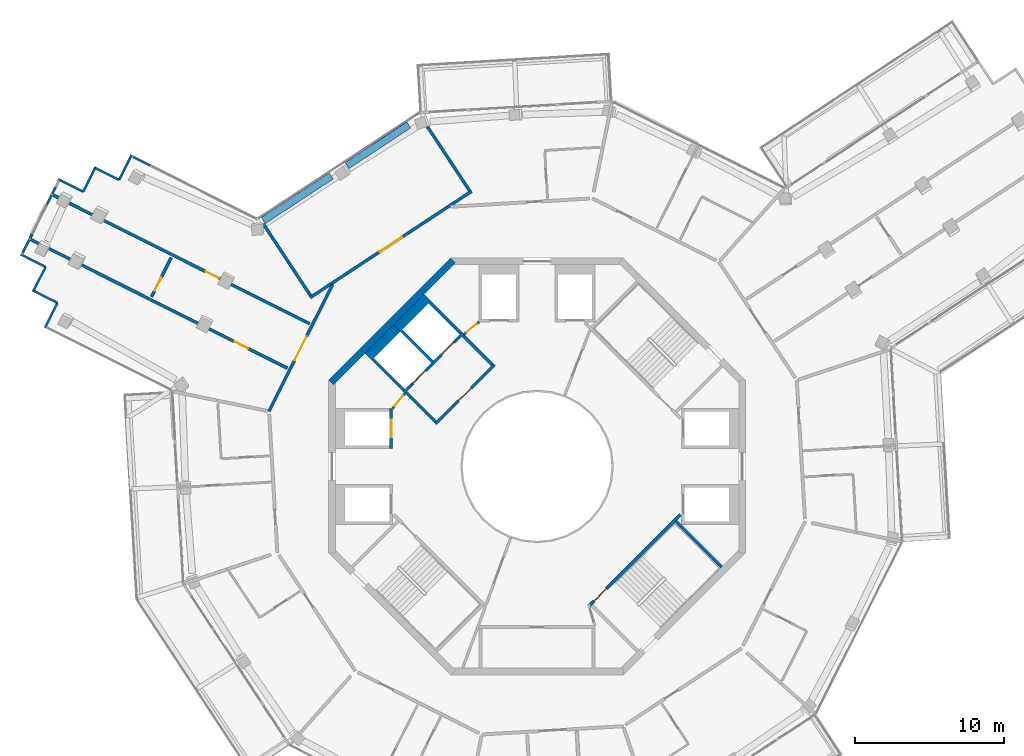
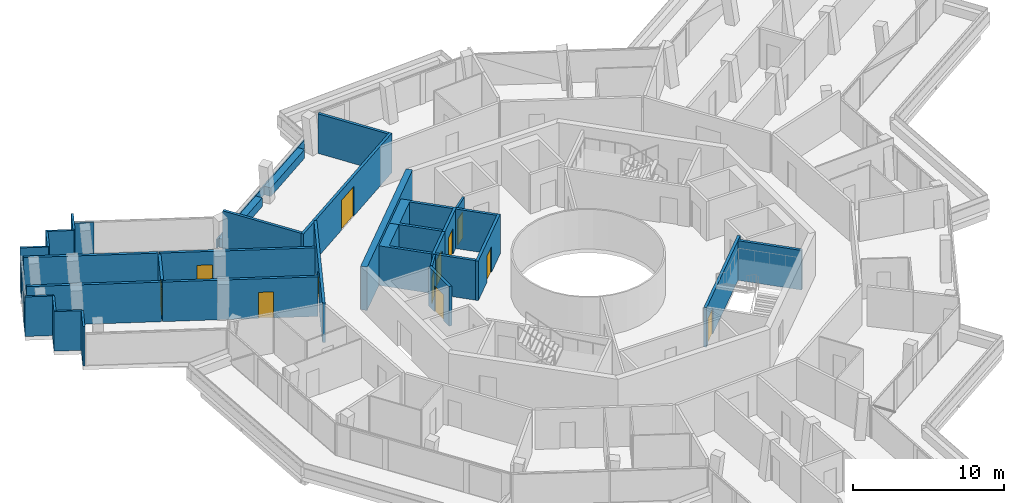
# One storey, part 20 of 26: 38 walls, 12 doors, 12 openings.
"""IFC4 building model written with IfcOpenShell, lengths in metres."""

from ifc_helpers import new_model, si_unit, direction, frame, frame_2d, origin, place, context, subcontext, project, spatial, polyline, rectangle, outline, extrude, material, layer, layer_set, type_object, element, fill, save


model = new_model("IFC4")

# Units and contexts
model_context = context("Model", 3, precision=1e-05, world=origin(), true_north=direction((0.0, 1.0)))
body_context = subcontext(model_context, "Body", "Model", "MODEL_VIEW")
ifc_project = project(units=[si_unit("LENGTHUNIT", "METRE"), si_unit("AREAUNIT", "SQUARE_METRE"), si_unit("VOLUMEUNIT", "CUBIC_METRE"), si_unit("PLANEANGLEUNIT", "RADIAN"), si_unit("MASSUNIT", "GRAM", prefix="KILO")], contexts=[model_context])

# Site, building, storey
site_placement = place(None, origin())
site = spatial("IfcSite", under=ifc_project, at=site_placement, CompositionType="ELEMENT")
building_placement = place(site_placement, origin())
building = spatial("IfcBuilding", under=site, at=building_placement, Name="Verdalira Terraces Hotel", CompositionType="ELEMENT")
storey_placement = place(building_placement, frame((0.0, 0.0, 291.5)))
storey = spatial("IfcBuildingStorey", under=building, at=storey_placement, Name="L72", CompositionType="ELEMENT", Elevation=291.5)

# Wall, opening, door
ifc_material_1 = material(Name="Concrete C50", Category="concrete")
ifc_layer_1 = layer(ifc_material_1, 0.199951171875)
ifc_layer_set_1 = layer_set([ifc_layer_1], Name="Core RC wall 200 C50")
wall_type_1 = type_object("IfcWallType", Name="Core RC wall 200 C50", PredefinedType="SOLIDWALL", material=ifc_layer_set_1)
wall_1_placement = place(storey_placement, frame((-9.800049, 1.199951, 0.0), z_axis=(0.0, 0.0, 1.0), x_axis=(0.0, 1.0, 0.0)))
wall_1 = element("IfcWall", 1, at=wall_1_placement, inside=storey, type_object=wall_type_1, Name="L72 shaft front wall W1", PredefinedType="SOLIDWALL", context=body_context, shape_type="SweptSolid", body=[
    extrude(rectangle(XDim=2.699951, YDim=0.199951, at=frame_2d((1.350098, 0.0))), origin(), (0.0, 0.0, 1.0), 3.189941),
])
opening_1_placement = place(wall_1_placement, frame((0.75, 0.0, 0.0)))
opening_1 = element("IfcOpeningElement", 2, at=opening_1_placement, cuts=wall_1, Name="Opening LD-L72-806", PredefinedType="OPENING", context=body_context, shape_type="SweptSolid", body=[
    extrude(rectangle(XDim=1.199951, YDim=2.100098, at=frame_2d((0.600098, 1.050049))), frame((0.0, 0.109863, 0.0), z_axis=(0.0, -1.0, 0.0), x_axis=(1.0, 0.0, 0.0)), (0.0, 0.0, 1.0), 0.219971),
])
ifc_material_2 = material(Name="Stainless steel", Category="steel")
door_type_1 = type_object("IfcDoorType", Name="Landing door 1200 x 2100", OperationType="NOTDEFINED", PredefinedType="DOOR", material=ifc_material_2)
door_1_placement = place(opening_1_placement, origin())
door_1 = element("IfcDoor", 3, at=door_1_placement, inside=storey, type_object=door_type_1, Name="Lift landing door HR5 L72", OperationType="DOUBLE_DOOR_SLIDING", OverallHeight=2.10009765625, OverallWidth=1.199951171875, PredefinedType="DOOR", context=body_context, shape_type="SweptSolid", body=[
    extrude(rectangle(XDim=1.199951, YDim=2.100098, at=frame_2d((0.600098, 1.050049))), frame((0.0, 0.024902, 0.0), z_axis=(0.0, -1.0, 0.0), x_axis=(1.0, 0.0, 0.0)), (0.0, 0.0, 1.0), 0.050049),
])
fill(opening_1, door_1)

# Wall
wall_2_placement = place(storey_placement, origin())
element("IfcWall", 4, at=wall_2_placement, inside=storey, type_object=wall_type_1, Name="L72 shaft wall F1", PredefinedType="SOLIDWALL", context=body_context, shape_type="SweptSolid", body=[
    extrude(outline(polyline([(-9.6521, 9.510498), (-7.601318, 11.561279), (-5.055908, 9.015625), (-5.197266, 8.874268), (-7.283203, 10.960205), (-9.051025, 9.192383), (-6.965088, 7.106445), (-7.106445, 6.965088), (-9.6521, 9.510498)])), origin(), (0.0, 0.0, 1.0), 3.189941),
])

# Wall, opening, door
wall_3_placement = place(storey_placement, frame((-4.985107, 8.944824, 0.0), z_axis=(0.0, 0.0, 1.0), x_axis=(-0.707106781, -0.707106781, 0.0)))
wall_3 = element("IfcWall", 5, at=wall_3_placement, inside=storey, type_object=wall_type_1, Name="L72 shaft front wall F1", PredefinedType="SOLIDWALL", context=body_context, shape_type="SweptSolid", body=[
    extrude(rectangle(XDim=2.899902, YDim=0.199951, at=frame_2d((1.449951, 0.0))), origin(), (0.0, 0.0, 1.0), 3.189941),
])
opening_2_placement = place(wall_3_placement, frame((0.850098, 0.0, 0.0)))
opening_2 = element("IfcOpeningElement", 6, at=opening_2_placement, cuts=wall_3, Name="Opening LD-L72-808", PredefinedType="OPENING", context=body_context, shape_type="SweptSolid", body=[
    extrude(rectangle(XDim=1.199951, YDim=2.100098, at=frame_2d((0.600098, 1.050049))), frame((0.0, 0.109863, 0.0), z_axis=(0.0, -1.0, 0.0), x_axis=(1.0, 0.0, 0.0)), (0.0, 0.0, 1.0), 0.219971),
])
door_2_placement = place(opening_2_placement, origin())
door_2 = element("IfcDoor", 7, at=door_2_placement, inside=storey, type_object=door_type_1, Name="Lift landing door LF11 L72", OperationType="DOUBLE_DOOR_SLIDING", OverallHeight=2.10009765625, OverallWidth=1.199951171875, PredefinedType="DOOR", context=body_context, shape_type="SweptSolid", body=[
    extrude(rectangle(XDim=1.199951, YDim=2.100098, at=frame_2d((0.600098, 1.050049))), frame((0.0, 0.024902, 0.0), z_axis=(0.0, -1.0, 0.0), x_axis=(1.0, 0.0, 0.0)), (0.0, 0.0, 1.0), 0.050049),
])
fill(opening_2, door_2)

# Wall
wall_4_placement = place(storey_placement, origin())
element("IfcWall", 8, at=wall_4_placement, inside=storey, type_object=wall_type_1, Name="L72 shaft wall F2", PredefinedType="SOLIDWALL", context=body_context, shape_type="SweptSolid", body=[
    extrude(outline(polyline([(-11.561279, 7.601318), (-9.6521, 9.510498), (-9.192383, 9.051025), (-10.960205, 7.283203), (-8.874268, 5.197266), (-9.015625, 5.055908), (-11.561279, 7.601318)])), origin(), (0.0, 0.0, 1.0), 3.189941),
])

# Wall, opening, door
wall_5_placement = place(storey_placement, frame((-7.035645, 6.894287, 0.0), z_axis=(0.0, 0.0, 1.0), x_axis=(-0.707106781, -0.707106781, 0.0)))
wall_5 = element("IfcWall", 9, at=wall_5_placement, inside=storey, type_object=wall_type_1, Name="L72 shaft front wall F2", PredefinedType="SOLIDWALL", context=body_context, shape_type="SweptSolid", body=[
    extrude(rectangle(XDim=2.699951, YDim=0.199951, at=frame_2d((1.350098, 0.0))), origin(), (0.0, 0.0, 1.0), 3.189941),
])
opening_3_placement = place(wall_5_placement, frame((0.649902, 0.0, 0.0)))
opening_3 = element("IfcOpeningElement", 10, at=opening_3_placement, cuts=wall_5, Name="Opening LD-L72-809", PredefinedType="OPENING", context=body_context, shape_type="SweptSolid", body=[
    extrude(rectangle(XDim=1.199951, YDim=2.100098, at=frame_2d((0.600098, 1.050049))), frame((0.0, 0.109863, 0.0), z_axis=(0.0, -1.0, 0.0), x_axis=(1.0, 0.0, 0.0)), (0.0, 0.0, 1.0), 0.219971),
])
door_3_placement = place(opening_3_placement, origin())
door_3 = element("IfcDoor", 11, at=door_3_placement, inside=storey, type_object=door_type_1, Name="Lift landing door LF12 L72", OperationType="DOUBLE_DOOR_SLIDING", OverallHeight=2.10009765625, OverallWidth=1.199951171875, PredefinedType="DOOR", context=body_context, shape_type="SweptSolid", body=[
    extrude(rectangle(XDim=1.199951, YDim=2.100098, at=frame_2d((0.600098, 1.050049))), frame((0.0, 0.024902, 0.0), z_axis=(0.0, -1.0, 0.0), x_axis=(1.0, 0.0, 0.0)), (0.0, 0.0, 1.0), 0.050049),
])
fill(opening_3, door_3)

wall_6_placement = place(storey_placement, frame((9.629395, -3.23999, 0.0), z_axis=(0.0, 0.0, 1.0), x_axis=(-0.707120946, -0.707092617, 0.0)))
wall_6 = element("IfcWall", 12, at=wall_6_placement, inside=storey, type_object=wall_type_1, Name="L72 stair ST3 front wall", PredefinedType="SOLIDWALL", context=body_context, shape_type="SweptSolid", body=[
    extrude(rectangle(XDim=8.61792, YDim=0.199951, at=frame_2d((4.309082, 0.0))), origin(), (0.0, 0.0, 1.0), 3.189941),
])
opening_4_placement = place(wall_6_placement, frame((7.017822, 0.0, 0.0)))
opening_4 = element("IfcOpeningElement", 13, at=opening_4_placement, cuts=wall_6, Name="Opening L72-812", PredefinedType="OPENING", context=body_context, shape_type="SweptSolid", body=[
    extrude(rectangle(XDim=1.199951, YDim=2.100098, at=frame_2d((0.600098, 1.050049))), frame((0.0, 0.109863, 0.0), z_axis=(0.0, -1.0, 0.0), x_axis=(1.0, 0.0, 0.0)), (0.0, 0.0, 1.0), 0.219971),
])
ifc_material_3 = material(Name="Steel fire door", Category="steel")
door_type_2 = type_object("IfcDoorType", Name="Stair door 1200 x 2100", OperationType="NOTDEFINED", PredefinedType="DOOR", material=ifc_material_3)
door_4_placement = place(opening_4_placement, origin())
door_4 = element("IfcDoor", 14, at=door_4_placement, inside=storey, type_object=door_type_2, Name="Stair door ST3 L72", OperationType="SINGLE_SWING_RIGHT", OverallHeight=2.10009765625, OverallWidth=1.199951171875, PredefinedType="DOOR", context=body_context, shape_type="SweptSolid", body=[
    extrude(rectangle(XDim=1.199951, YDim=2.100098, at=frame_2d((0.600098, 1.050049))), frame((0.0, 0.024902, 0.0), z_axis=(0.0, -1.0, 0.0), x_axis=(1.0, 0.0, 0.0)), (0.0, 0.0, 1.0), 0.050049),
])
fill(opening_4, door_4)

# Wall
wall_7_placement = place(storey_placement, frame((9.33374, -3.677002, 0.0), z_axis=(0.0, 0.0, 1.0), x_axis=(0.707106781, -0.707106781, 0.0)))
element("IfcWall", 15, at=wall_7_placement, inside=storey, type_object=wall_type_1, Name="L72 stair ST3 end wall 2", PredefinedType="SOLIDWALL", context=body_context, shape_type="SweptSolid", body=[
    extrude(rectangle(XDim=4.350098, YDim=0.199951, at=frame_2d((2.175049, 0.0))), origin(), (0.0, 0.0, 1.0), 3.189941),
])

# Wall, opening, door
wall_8_placement = place(storey_placement, frame((-2.86377, 6.823486, 0.0), z_axis=(0.0, 0.0, 1.0), x_axis=(-0.707106781, -0.707106781, 0.0)))
wall_8 = element("IfcWall", 16, at=wall_8_placement, inside=storey, type_object=wall_type_1, Name="L72 fire lobby wall", PredefinedType="SOLIDWALL", context=body_context, shape_type="SweptSolid", body=[
    extrude(rectangle(XDim=5.599854, YDim=0.199951, at=frame_2d((2.799805, 0.0))), origin(), (0.0, 0.0, 1.0), 3.189941),
])
opening_5_placement = place(wall_8_placement, frame((2.199951, 0.0, 0.0)))
opening_5 = element("IfcOpeningElement", 17, at=opening_5_placement, cuts=wall_8, Name="Opening L72-819", PredefinedType="OPENING", context=body_context, shape_type="SweptSolid", body=[
    extrude(rectangle(XDim=1.199951, YDim=2.100098, at=frame_2d((0.600098, 1.050049))), frame((0.0, 0.109863, 0.0), z_axis=(0.0, -1.0, 0.0), x_axis=(1.0, 0.0, 0.0)), (0.0, 0.0, 1.0), 0.219971),
])
ifc_material_4 = material(Name="Steel fire door", Category="steel")
door_type_3 = type_object("IfcDoorType", Name="Lobby door 1200 x 2100", OperationType="NOTDEFINED", PredefinedType="DOOR", material=ifc_material_4)
door_5_placement = place(opening_5_placement, origin())
door_5 = element("IfcDoor", 18, at=door_5_placement, inside=storey, type_object=door_type_3, Name="Fire lobby door L72", OperationType="SINGLE_SWING_LEFT", OverallHeight=2.10009765625, OverallWidth=1.199951171875, PredefinedType="DOOR", context=body_context, shape_type="SweptSolid", body=[
    extrude(rectangle(XDim=1.199951, YDim=2.100098, at=frame_2d((0.600098, 1.050049))), frame((0.0, 0.024902, 0.0), z_axis=(0.0, -1.0, 0.0), x_axis=(1.0, 0.0, 0.0)), (0.0, 0.0, 1.0), 0.050049),
])
fill(opening_5, door_5)

# Walls
for number, where, z_axis, x_axis, name in (
    (19, (-3.005127, 6.823486, 0.0), (0.0, 0.0, 1.0), (-0.707106781, 0.707106781, 0.0), "L72 fire lobby wall"),
    (20, (-6.823486, 3.005127, 0.0), (0.0, 0.0, 1.0), (-0.707106781, 0.707106781, 0.0), "L72 fire lobby wall"),
):
    element("IfcWall", number, at=place(storey_placement, frame(where, z_axis=z_axis, x_axis=x_axis)), inside=storey, type_object=wall_type_1, Name=name, PredefinedType="SOLIDWALL", context=body_context, shape_type="SweptSolid", body=[
        extrude(rectangle(XDim=2.800049, YDim=0.199951, at=frame_2d((1.399902, 0.0))), origin(), (0.0, 0.0, 1.0), 3.189941),
    ])

# Wall, opening, door
ifc_material_5 = material(Name="Gypsum board partition")
ifc_layer_2 = layer(ifc_material_5, 0.14990234375)
ifc_layer_set_2 = layer_set([ifc_layer_2], Name="Core partition 150 mm")
wall_type_2 = type_object("IfcWallType", Name="Core partition 150 mm", PredefinedType="PARTITIONING", material=ifc_layer_set_2)
wall_9_placement = place(storey_placement, frame((-3.899902, 9.699951, 0.0), z_axis=(0.0, 0.0, 1.0), x_axis=(-0.775559878, -0.631274009, 0.0)))
wall_9 = element("IfcWall", 21, at=wall_9_placement, inside=storey, type_object=wall_type_2, Name="Room partition L72", PredefinedType="PARTITIONING", context=body_context, shape_type="SweptSolid", body=[
    extrude(rectangle(XDim=1.307861, YDim=0.149902, at=frame_2d((0.653809, 0.0))), origin(), (0.0, 0.0, 1.0), 3.189941),
])
opening_6_placement = place(wall_9_placement, frame((0.204102, 0.0, 0.0)))
opening_6 = element("IfcOpeningElement", 22, at=opening_6_placement, cuts=wall_9, Name="Opening L72-820", PredefinedType="OPENING", context=body_context, shape_type="SweptSolid", body=[
    extrude(rectangle(XDim=0.899902, YDim=2.100098, at=frame_2d((0.449951, 1.050049))), frame((0.0, 0.084961, 0.0), z_axis=(0.0, -1.0, 0.0), x_axis=(1.0, 0.0, 0.0)), (0.0, 0.0, 1.0), 0.169922),
])
ifc_material_6 = material(Name="Steel fire door", Category="steel")
door_type_4 = type_object("IfcDoorType", Name="Core room door 900 x 2100", OperationType="NOTDEFINED", PredefinedType="DOOR", material=ifc_material_6)
door_6_placement = place(opening_6_placement, origin())
door_6 = element("IfcDoor", 23, at=door_6_placement, inside=storey, type_object=door_type_4, Name="Door L72 room2", OperationType="SINGLE_SWING_LEFT", OverallHeight=2.10009765625, OverallWidth=0.89990234375, PredefinedType="DOOR", context=body_context, shape_type="SweptSolid", body=[
    extrude(rectangle(XDim=0.899902, YDim=2.100098, at=frame_2d((0.449951, 1.050049))), frame((0.0, 0.024902, 0.0), z_axis=(0.0, -1.0, 0.0), x_axis=(1.0, 0.0, 0.0)), (0.0, 0.0, 1.0), 0.050049),
])
fill(opening_6, door_6)

wall_10_placement = place(storey_placement, frame((-8.874268, 4.914307, 0.0), z_axis=(0.0, 0.0, 1.0), x_axis=(-0.631274009, -0.775559878, 0.0)))
wall_10 = element("IfcWall", 24, at=wall_10_placement, inside=storey, type_object=wall_type_2, Name="Room partition L72", PredefinedType="PARTITIONING", context=body_context, shape_type="SweptSolid", body=[
    extrude(rectangle(XDim=1.307861, YDim=0.149902, at=frame_2d((0.653809, 0.0))), origin(), (0.0, 0.0, 1.0), 3.189941),
])
opening_7_placement = place(wall_10_placement, frame((0.204102, 0.0, 0.0)))
opening_7 = element("IfcOpeningElement", 25, at=opening_7_placement, cuts=wall_10, Name="Opening L72-821", PredefinedType="OPENING", context=body_context, shape_type="SweptSolid", body=[
    extrude(rectangle(XDim=0.899902, YDim=2.100098, at=frame_2d((0.449951, 1.050049))), frame((0.0, 0.084961, 0.0), z_axis=(0.0, -1.0, 0.0), x_axis=(1.0, 0.0, 0.0)), (0.0, 0.0, 1.0), 0.169922),
])
door_7_placement = place(opening_7_placement, origin())
door_7 = element("IfcDoor", 26, at=door_7_placement, inside=storey, type_object=door_type_4, Name="Door L72 room3", OperationType="SINGLE_SWING_LEFT", OverallHeight=2.10009765625, OverallWidth=0.89990234375, PredefinedType="DOOR", context=body_context, shape_type="SweptSolid", body=[
    extrude(rectangle(XDim=0.899902, YDim=2.100098, at=frame_2d((0.449951, 1.050049))), frame((0.0, 0.024902, 0.0), z_axis=(0.0, -1.0, 0.0), x_axis=(1.0, 0.0, 0.0)), (0.0, 0.0, 1.0), 0.050049),
])
fill(opening_7, door_7)

# Walls
ifc_material_7 = material(Name="Concrete C50", Category="concrete")
ifc_layer_3 = layer(ifc_material_7, 0.449951171875)
ifc_layer_set_3 = layer_set([ifc_layer_3], Name="Core wall 450 C50")
wall_type_3 = type_object("IfcWallType", Name="Core wall 450 C50", PredefinedType="SHEAR", material=ifc_layer_set_3)
wall_11_placement = place(storey_placement, frame((-5.639893, 13.84082, 0.0), z_axis=(0.0, 0.0, 1.0), x_axis=(-0.707106781, -0.707106781, 0.0)))
element("IfcWall", 27, at=wall_11_placement, inside=storey, type_object=wall_type_3, Name="Core wall CW-L72-4", PredefinedType="SHEAR", context=body_context, shape_type="SweptSolid", body=[
    extrude(rectangle(XDim=11.5979, YDim=0.449951, at=frame_2d((5.798828, 0.0))), origin(), (0.0, 0.0, 1.0), 3.5),
])
ifc_material_8 = material(Name="Fire-rated gypsum board wall")
ifc_layer_4 = layer(ifc_material_8, 0.199951171875)
ifc_layer_set_4 = layer_set([ifc_layer_4], Name="Demising wall 200 mm")
wall_type_4 = type_object("IfcWallType", Name="Demising wall 200 mm", PredefinedType="SOLIDWALL", material=ifc_layer_set_4)
wall_12_placement = place(storey_placement, frame((-34.02832, 15.254639, 0.0), z_axis=(0.0, 0.0, 1.0), x_axis=(0.893848113, -0.448369883, 0.0)))
element("IfcWall", 28, at=wall_12_placement, inside=storey, type_object=wall_type_4, Name="Demising wall", PredefinedType="SOLIDWALL", context=body_context, shape_type="SweptSolid", body=[
    extrude(rectangle(XDim=8.949463, YDim=0.199951, at=frame_2d((4.474609, 0.0))), origin(), (0.0, 0.0, 1.0), 3.189941),
])
wall_13_placement = place(storey_placement, frame((-24.530762, 14.228516, 0.0), z_axis=(0.0, 0.0, 1.0), x_axis=(-0.893842628, 0.448380816, 0.0)))
element("IfcWall", 29, at=wall_13_placement, inside=storey, type_object=wall_type_4, Name="Demising wall", PredefinedType="SOLIDWALL", context=body_context, shape_type="SweptSolid", body=[
    extrude(rectangle(XDim=8.949219, YDim=0.199951, at=frame_2d((4.474609, 0.0))), origin(), (0.0, 0.0, 1.0), 3.189941),
])

# Wall, opening, door
wall_14_placement = place(storey_placement, frame((-25.89624, 11.39917, 0.0), z_axis=(0.0, 0.0, 1.0), x_axis=(0.448408509, 0.893828736, 0.0)))
wall_14 = element("IfcWall", 30, at=wall_14_placement, inside=storey, type_object=wall_type_4, Name="Demising wall", PredefinedType="SOLIDWALL", context=body_context, shape_type="SweptSolid", body=[
    extrude(rectangle(XDim=2.941162, YDim=0.199951, at=frame_2d((1.470703, 0.0))), origin(), (0.0, 0.0, 1.0), 3.189941),
])
opening_8_placement = place(wall_14_placement, frame((0.449951, 0.0, 0.0)))
opening_8 = element("IfcOpeningElement", 31, at=opening_8_placement, cuts=wall_14, Name="Opening L72-104", PredefinedType="OPENING", context=body_context, shape_type="SweptSolid", body=[
    extrude(rectangle(XDim=1.0, YDim=2.100098, at=frame_2d((0.5, 1.050049))), frame((0.0, 0.109863, 0.0), z_axis=(0.0, -1.0, 0.0), x_axis=(1.0, 0.0, 0.0)), (0.0, 0.0, 1.0), 0.219971),
])
ifc_material_9 = material(Name="Timber fire door", Category="wood")
door_type_5 = type_object("IfcDoorType", Name="Public room door 1000 x 2100", OperationType="NOTDEFINED", PredefinedType="DOOR", material=ifc_material_9)
door_8_placement = place(opening_8_placement, origin())
door_8 = element("IfcDoor", 32, at=door_8_placement, inside=storey, type_object=door_type_5, Name="Public room door 7201", OperationType="SINGLE_SWING_LEFT", OverallHeight=2.10009765625, OverallWidth=1.0, PredefinedType="DOOR", context=body_context, shape_type="SweptSolid", body=[
    extrude(rectangle(XDim=1.0, YDim=2.100098, at=frame_2d((0.5, 1.050049))), frame((0.0, 0.024902, 0.0), z_axis=(0.0, -1.0, 0.0), x_axis=(1.0, 0.0, 0.0)), (0.0, 0.0, 1.0), 0.050049),
])
fill(opening_8, door_8)

wall_15_placement = place(storey_placement, frame((-16.779297, 6.602051, 0.0), z_axis=(0.0, 0.0, 1.0), x_axis=(-0.893848208, 0.448369693, 0.0)))
wall_15 = element("IfcWall", 33, at=wall_15_placement, inside=storey, type_object=wall_type_4, Name="Demising wall", PredefinedType="SOLIDWALL", context=body_context, shape_type="SweptSolid", body=[
    extrude(rectangle(XDim=10.302002, YDim=0.199951, at=frame_2d((5.150879, 0.0))), origin(), (0.0, 0.0, 1.0), 3.189941),
])
opening_9_placement = place(wall_15_placement, frame((2.949951, 0.0, 0.0)))
opening_9 = element("IfcOpeningElement", 34, at=opening_9_placement, cuts=wall_15, Name="Opening L72-103", PredefinedType="OPENING", context=body_context, shape_type="SweptSolid", body=[
    extrude(rectangle(XDim=1.0, YDim=2.100098, at=frame_2d((0.5, 1.050049))), frame((0.0, 0.109863, 0.0), z_axis=(0.0, -1.0, 0.0), x_axis=(1.0, 0.0, 0.0)), (0.0, 0.0, 1.0), 0.219971),
])
door_9_placement = place(opening_9_placement, origin())
door_9 = element("IfcDoor", 35, at=door_9_placement, inside=storey, type_object=door_type_5, Name="Public room door 7201", OperationType="SINGLE_SWING_LEFT", OverallHeight=2.10009765625, OverallWidth=1.0, PredefinedType="DOOR", context=body_context, shape_type="SweptSolid", body=[
    extrude(rectangle(XDim=1.0, YDim=2.100098, at=frame_2d((0.5, 1.050049))), frame((0.0, 0.024902, 0.0), z_axis=(0.0, -1.0, 0.0), x_axis=(1.0, 0.0, 0.0)), (0.0, 0.0, 1.0), 0.050049),
])
fill(opening_9, door_9)

wall_16_placement = place(storey_placement, frame((-24.489502, 14.207764, 0.0), z_axis=(0.0, 0.0, 1.0), x_axis=(0.893833945, -0.448398125, 0.0)))
wall_16 = element("IfcWall", 36, at=wall_16_placement, inside=storey, type_object=wall_type_4, Name="Demising wall", PredefinedType="SOLIDWALL", context=body_context, shape_type="SweptSolid", body=[
    extrude(rectangle(XDim=10.302002, YDim=0.199951, at=frame_2d((5.150879, 0.0))), origin(), (0.0, 0.0, 1.0), 3.189941),
])
opening_10_placement = place(wall_16_placement, frame((2.5, 0.0, 0.0)))
opening_10 = element("IfcOpeningElement", 37, at=opening_10_placement, cuts=wall_16, Name="Opening L72-102", PredefinedType="OPENING", context=body_context, shape_type="SweptSolid", body=[
    extrude(rectangle(XDim=1.0, YDim=2.100098, at=frame_2d((0.5, 1.050049))), frame((0.0, 0.109863, 0.0), z_axis=(0.0, -1.0, 0.0), x_axis=(1.0, 0.0, 0.0)), (0.0, 0.0, 1.0), 0.219971),
])
door_10_placement = place(opening_10_placement, origin())
door_10 = element("IfcDoor", 38, at=door_10_placement, inside=storey, type_object=door_type_5, Name="Public room door 7201", OperationType="SINGLE_SWING_LEFT", OverallHeight=2.10009765625, OverallWidth=1.0, PredefinedType="DOOR", context=body_context, shape_type="SweptSolid", body=[
    extrude(rectangle(XDim=1.0, YDim=2.100098, at=frame_2d((0.5, 1.050049))), frame((0.0, 0.024902, 0.0), z_axis=(0.0, -1.0, 0.0), x_axis=(1.0, 0.0, 0.0)), (0.0, 0.0, 1.0), 0.050049),
])
fill(opening_10, door_10)

ifc_material_10 = material(Name="Fire-rated gypsum board wall")
ifc_layer_5 = layer(ifc_material_10, 0.199951171875)
ifc_layer_set_5 = layer_set([ifc_layer_5], Name="Guest corridor wall 200 mm")
wall_type_5 = type_object("IfcWallType", Name="Guest corridor wall 200 mm", PredefinedType="SOLIDWALL", material=ifc_layer_set_5)
wall_17_placement = place(storey_placement, frame((-18.006592, 3.709229, 0.0), z_axis=(0.0, 0.0, 1.0), x_axis=(0.448360112, 0.893853014, 0.0)))
wall_17 = element("IfcWall", 39, at=wall_17_placement, inside=storey, type_object=wall_type_5, Name="Guest corridor wall", PredefinedType="SOLIDWALL", context=body_context, shape_type="SweptSolid", body=[
    extrude(rectangle(XDim=9.536621, YDim=0.199951, at=frame_2d((4.768311, 0.0))), origin(), (0.0, 0.0, 1.0), 3.189941),
])
opening_11_placement = place(wall_17_placement, frame((3.835938, 0.0, 0.0)))
opening_11 = element("IfcOpeningElement", 40, at=opening_11_placement, cuts=wall_17, Name="Opening L72-101", PredefinedType="OPENING", context=body_context, shape_type="SweptSolid", body=[
    extrude(rectangle(XDim=1.800049, YDim=2.100098, at=frame_2d((0.899902, 1.050049))), frame((0.0, 0.109863, 0.0), z_axis=(0.0, -1.0, 0.0), x_axis=(1.0, 0.0, 0.0)), (0.0, 0.0, 1.0), 0.219971),
])
ifc_material_11 = material(Name="Timber fire door", Category="wood")
door_type_6 = type_object("IfcDoorType", Name="Public room double door 1800 x 2100", OperationType="NOTDEFINED", PredefinedType="DOOR", material=ifc_material_11)
door_11_placement = place(opening_11_placement, origin())
door_11 = element("IfcDoor", 41, at=door_11_placement, inside=storey, type_object=door_type_6, Name="Public room double door 7201", OperationType="DOUBLE_DOOR_SINGLE_SWING", OverallHeight=2.10009765625, OverallWidth=1.800048828125, PredefinedType="DOOR", context=body_context, shape_type="SweptSolid", body=[
    extrude(rectangle(XDim=1.800049, YDim=2.100098, at=frame_2d((0.899902, 1.050049))), frame((0.0, 0.024902, 0.0), z_axis=(0.0, -1.0, 0.0), x_axis=(1.0, 0.0, 0.0)), (0.0, 0.0, 1.0), 0.050049),
])
fill(opening_11, door_11)

ifc_material_12 = material(Name="Terracotta cladding", Category="masonry")
ifc_layer_6 = layer(ifc_material_12, 0.199951171875)
ifc_layer_set_6 = layer_set([ifc_layer_6], Name="Loggia back wall 200")
wall_type_6 = type_object("IfcWallType", Name="Loggia back wall 200", PredefinedType="SOLIDWALL", material=ifc_layer_set_6)
wall_18_placement = place(storey_placement, frame((-15.249268, 11.341553, 0.0), z_axis=(0.0, 0.0, 1.0), x_axis=(0.835229141, 0.549902066, 0.0)))
wall_18 = element("IfcWall", 42, at=wall_18_placement, inside=storey, type_object=wall_type_6, Name="Loggia back wall", PredefinedType="SOLIDWALL", context=body_context, shape_type="SweptSolid", body=[
    extrude(rectangle(XDim=13.0, YDim=0.199951, at=frame_2d((6.5, 0.0))), origin(), (0.0, 0.0, 1.0), 3.189941),
])
opening_12_placement = place(wall_18_placement, frame((5.600098, 0.0, 0.0)))
opening_12 = element("IfcOpeningElement", 43, at=opening_12_placement, cuts=wall_18, Name="Opening L72-L01", PredefinedType="OPENING", context=body_context, shape_type="SweptSolid", body=[
    extrude(rectangle(XDim=1.800049, YDim=2.399902, at=frame_2d((0.899902, 1.199951))), frame((0.0, 0.109863, 0.0), z_axis=(0.0, -1.0, 0.0), x_axis=(1.0, 0.0, 0.0)), (0.0, 0.0, 1.0), 0.219971),
])
ifc_material_13 = material(Name="Clear glass", Category="glass")
door_type_7 = type_object("IfcDoorType", Name="Garden double door 1800x2400", OperationType="NOTDEFINED", PredefinedType="DOOR", material=ifc_material_13)
door_12_placement = place(opening_12_placement, origin())
door_12 = element("IfcDoor", 44, at=door_12_placement, inside=storey, type_object=door_type_7, Name="Loggia double door", OperationType="DOUBLE_DOOR_SINGLE_SWING", OverallHeight=2.39990234375, OverallWidth=1.800048828125, PredefinedType="DOOR", context=body_context, shape_type="SweptSolid", body=[
    extrude(rectangle(XDim=1.800049, YDim=2.399902, at=frame_2d((0.899902, 1.199951))), frame((0.0, 0.024902, 0.0), z_axis=(0.0, -1.0, 0.0), x_axis=(1.0, 0.0, 0.0)), (0.0, 0.0, 1.0), 0.050049),
])
fill(opening_12, door_12)

# Walls
wall_19_placement = place(storey_placement, frame((-7.372803, 22.836914, 0.0), z_axis=(0.0, 0.0, 1.0), x_axis=(0.549907016, -0.835225882, 0.0)))
element("IfcWall", 45, at=wall_19_placement, inside=storey, type_object=wall_type_6, Name="Loggia side wall", PredefinedType="SOLIDWALL", context=body_context, shape_type="SweptSolid", body=[
    extrude(rectangle(XDim=5.169922, YDim=0.199951, at=frame_2d((2.584961, 0.0))), origin(), (0.0, 0.0, 1.0), 3.189941),
])
wall_20_placement = place(storey_placement, frame((-18.395508, 16.302002, 0.0), z_axis=(0.0, 0.0, 1.0), x_axis=(0.549909273, -0.835224396, 0.0)))
element("IfcWall", 46, at=wall_20_placement, inside=storey, type_object=wall_type_6, Name="Loggia side wall", PredefinedType="SOLIDWALL", context=body_context, shape_type="SweptSolid", body=[
    extrude(rectangle(XDim=5.773438, YDim=0.199951, at=frame_2d((2.886719, 0.0))), origin(), (0.0, 0.0, 1.0), 3.189941),
])
ifc_material_14 = material(Name="Concrete C40", Category="concrete")
ifc_layer_7 = layer(ifc_material_14, 0.5)
ifc_layer_set_7 = layer_set([ifc_layer_7], Name="Loggia planter trough with tree")
wall_type_7 = type_object("IfcWallType", Name="Loggia planter trough with tree", PredefinedType="SOLIDWALL", material=ifc_layer_set_7)
wall_21_placement = place(storey_placement, frame((-8.625977, 22.945557, 0.0), z_axis=(0.0, 0.0, 1.0), x_axis=(-0.835245259, -0.549877584, 0.0)))
element("IfcWall", 47, at=wall_21_placement, inside=storey, type_object=wall_type_7, Name="Loggia planter", PredefinedType="SOLIDWALL", context=body_context, shape_type="SweptSolid", body=[
    extrude(rectangle(XDim=4.962891, YDim=0.5, at=frame_2d((2.481445, 0.0))), origin(), (0.0, 0.0, 1.0), 0.699951),
])
wall_22_placement = place(storey_placement, frame((-13.824707, 19.522949, 0.0), z_axis=(0.0, 0.0, 1.0), x_axis=(-0.835216473, -0.549921307, 0.0)))
element("IfcWall", 48, at=wall_22_placement, inside=storey, type_object=wall_type_7, Name="Loggia planter", PredefinedType="SOLIDWALL", context=body_context, shape_type="SweptSolid", body=[
    extrude(rectangle(XDim=5.457031, YDim=0.5, at=frame_2d((2.728516, 0.0))), origin(), (0.0, 0.0, 1.0), 0.699951),
])
ifc_material_15 = material(Name="Concrete C40", Category="concrete")
ifc_layer_8 = layer(ifc_material_15, 0.10009765625)
ifc_layer_set_8 = layer_set([ifc_layer_8], Name="Loggia upstand 100")
wall_type_8 = type_object("IfcWallType", Name="Loggia upstand 100", PredefinedType="SOLIDWALL", material=ifc_layer_set_8)
wall_23_placement = place(storey_placement, frame((-7.949951, 23.75, 0.0), z_axis=(0.0, 0.0, 1.0), x_axis=(-0.83522795, -0.549903875, 0.0)))
element("IfcWall", 49, at=wall_23_placement, inside=storey, type_object=wall_type_8, Name="Loggia upstand", PredefinedType="SOLIDWALL", context=body_context, shape_type="SweptSolid", body=[
    extrude(rectangle(XDim=12.840088, YDim=0.100098, at=frame_2d((6.419922, 0.0))), origin(), (0.0, 0.0, 1.0), 0.699951),
])
ifc_material_16 = material(Name="Terracotta cladding", Category="masonry")
ifc_layer_9 = layer(ifc_material_16, 0.14990234375)
ifc_layer_set_9 = layer_set([ifc_layer_9], Name="Terracotta clad wall 150")
wall_type_9 = type_object("IfcWallType", Name="Terracotta clad wall 150", PredefinedType="SOLIDWALL", material=ifc_layer_set_9)
wall_24_placement = place(storey_placement, frame((-27.235596, 20.934326, 0.0), z_axis=(0.0, 0.0, 1.0), x_axis=(-0.44830701, -0.893879648, 0.0)))
element("IfcWall", 50, at=wall_24_placement, inside=storey, type_object=wall_type_9, Name="Terracotta cladding wall", PredefinedType="SOLIDWALL", context=body_context, shape_type="SweptSolid", body=[
    extrude(rectangle(XDim=1.875, YDim=0.149902, at=frame_2d((0.9375, 0.0))), origin(), (0.0, 0.0, 1.0), 3.189941),
])
wall_25_placement = place(storey_placement, frame((-28.076172, 19.258301, 0.0), z_axis=(0.0, 0.0, 1.0), x_axis=(-0.893829604, 0.448406779, 0.0)))
element("IfcWall", 51, at=wall_25_placement, inside=storey, type_object=wall_type_9, Name="Terracotta cladding wall", PredefinedType="SOLIDWALL", context=body_context, shape_type="SweptSolid", body=[
    extrude(rectangle(XDim=1.800049, YDim=0.149902, at=frame_2d((0.899902, 0.0))), origin(), (0.0, 0.0, 1.0), 3.189941),
])
for number, where, z_axis, x_axis, name in (
    (52, (-29.651611, 20.132568, 0.0), (0.0, 0.0, 1.0), (-0.44830701, -0.893879648, 0.0), "Terracotta cladding wall"),
    (53, (-30.492188, 18.456543, 0.0), (0.0, 0.0, 1.0), (-0.893879648, 0.44830701, 0.0), "Terracotta cladding wall"),
    (54, (-34.70166, 14.24707, 0.0), (0.0, 0.0, 1.0), (0.893827466, -0.44841104, 0.0), "Terracotta cladding wall"),
):
    element("IfcWall", number, at=place(storey_placement, frame(where, z_axis=z_axis, x_axis=x_axis)), inside=storey, type_object=wall_type_9, Name=name, PredefinedType="SOLIDWALL", context=body_context, shape_type="SweptSolid", body=[
        extrude(rectangle(XDim=1.875, YDim=0.149902, at=frame_2d((0.9375, 0.0))), origin(), (0.0, 0.0, 1.0), 3.189941),
    ])
wall_26_placement = place(storey_placement, frame((-33.025635, 13.40625, 0.0), z_axis=(0.0, 0.0, 1.0), x_axis=(-0.448406779, -0.893829604, 0.0)))
element("IfcWall", 55, at=wall_26_placement, inside=storey, type_object=wall_type_9, Name="Terracotta cladding wall", PredefinedType="SOLIDWALL", context=body_context, shape_type="SweptSolid", body=[
    extrude(rectangle(XDim=1.800049, YDim=0.149902, at=frame_2d((0.899902, 0.0))), origin(), (0.0, 0.0, 1.0), 3.189941),
])
wall_27_placement = place(storey_placement, frame((-33.899658, 11.831055, 0.0), z_axis=(0.0, 0.0, 1.0), x_axis=(0.893801282, -0.44846323, 0.0)))
element("IfcWall", 56, at=wall_27_placement, inside=storey, type_object=wall_type_9, Name="Terracotta cladding wall", PredefinedType="SOLIDWALL", context=body_context, shape_type="SweptSolid", body=[
    extrude(rectangle(XDim=1.875, YDim=0.149902, at=frame_2d((0.9375, 0.0))), origin(), (0.0, 0.0, 1.0), 3.189941),
])
wall_28_placement = place(storey_placement, frame((-32.223877, 10.990234, 0.0), z_axis=(0.0, 0.0, 1.0), x_axis=(-0.448359194, -0.893853474, 0.0)))
element("IfcWall", 57, at=wall_28_placement, inside=storey, type_object=wall_type_9, Name="Terracotta cladding wall", PredefinedType="SOLIDWALL", context=body_context, shape_type="SweptSolid", body=[
    extrude(rectangle(XDim=1.874756, YDim=0.149902, at=frame_2d((0.9375, 0.0))), origin(), (0.0, 0.0, 1.0), 3.189941),
])
ifc_material_17 = material(Name="Terracotta cladding", Category="masonry")
ifc_layer_10 = layer(ifc_material_17, 0.14990234375)
ifc_layer_set_10 = layer_set([ifc_layer_10], Name="Terracotta column pier 150")
wall_type_10 = type_object("IfcWallType", Name="Terracotta column pier 150", PredefinedType="SOLIDWALL", material=ifc_layer_set_10)
wall_29_placement = place(storey_placement, frame((-26.004395, 20.23291, 0.0), z_axis=(0.0, 0.0, 1.0), x_axis=(-0.893888288, 0.448289782, 0.0)))
element("IfcWall", 58, at=wall_29_placement, inside=storey, type_object=wall_type_10, Name="Terracotta column pier", PredefinedType="SOLIDWALL", context=body_context, shape_type="SweptSolid", body=[
    extrude(rectangle(XDim=1.27002, YDim=0.149902, at=frame_2d((0.63501, 0.0))), origin(), (0.0, 0.0, 1.0), 2.524902),
])
wall_30_placement = place(storey_placement, frame((-32.350098, 18.767578, 0.0), z_axis=(0.0, 0.0, 1.0), x_axis=(-0.447977573, -0.894044794, 0.0)))
element("IfcWall", 59, at=wall_30_placement, inside=storey, type_object=wall_type_10, Name="Terracotta column pier", PredefinedType="SOLIDWALL", context=body_context, shape_type="SweptSolid", body=[
    extrude(rectangle(XDim=0.51123, YDim=0.149902, at=frame_2d((0.255615, 0.0))), origin(), (0.0, 0.0, 1.0), 2.524902),
])
wall_31_placement = place(storey_placement, frame((-32.61499, 18.239014, 0.0), z_axis=(0.0, 0.0, 1.0), x_axis=(-0.448357973, -0.893854087, 0.0)))
element("IfcWall", 60, at=wall_31_placement, inside=storey, type_object=wall_type_10, Name="Terracotta column pier", PredefinedType="SOLIDWALL", context=body_context, shape_type="SweptSolid", body=[
    extrude(rectangle(XDim=0.767822, YDim=0.149902, at=frame_2d((0.383789, 0.0))), origin(), (0.0, 0.0, 1.0), 2.524902),
])
wall_32_placement = place(storey_placement, frame((-33.942871, 15.592285, 0.0), z_axis=(0.0, 0.0, 1.0), x_axis=(-0.448515526, -0.893775041, 0.0)))
element("IfcWall", 61, at=wall_32_placement, inside=storey, type_object=wall_type_10, Name="Terracotta column pier", PredefinedType="SOLIDWALL", context=body_context, shape_type="SweptSolid", body=[
    extrude(rectangle(XDim=0.299805, YDim=0.149902, at=frame_2d((0.149902, 0.0))), origin(), (0.0, 0.0, 1.0), 2.524902),
])
wall_33_placement = place(storey_placement, frame((-34.113281, 15.252686, 0.0), z_axis=(0.0, 0.0, 1.0), x_axis=(-0.448279456, -0.893893466, 0.0)))
element("IfcWall", 62, at=wall_33_placement, inside=storey, type_object=wall_type_10, Name="Terracotta column pier", PredefinedType="SOLIDWALL", context=body_context, shape_type="SweptSolid", body=[
    extrude(rectangle(XDim=1.007568, YDim=0.149902, at=frame_2d((0.503906, 0.0))), origin(), (0.0, 0.0, 1.0), 2.524902),
])

save(model, "model.ifc")
